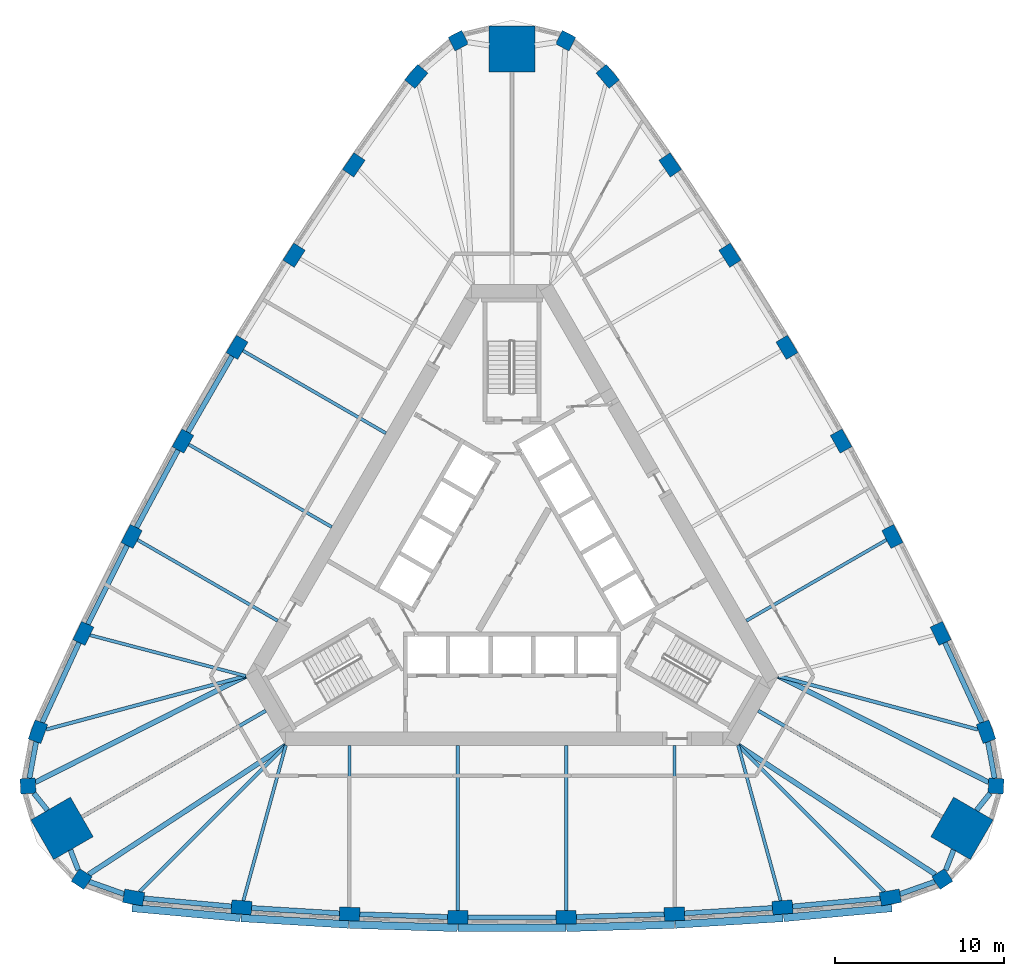
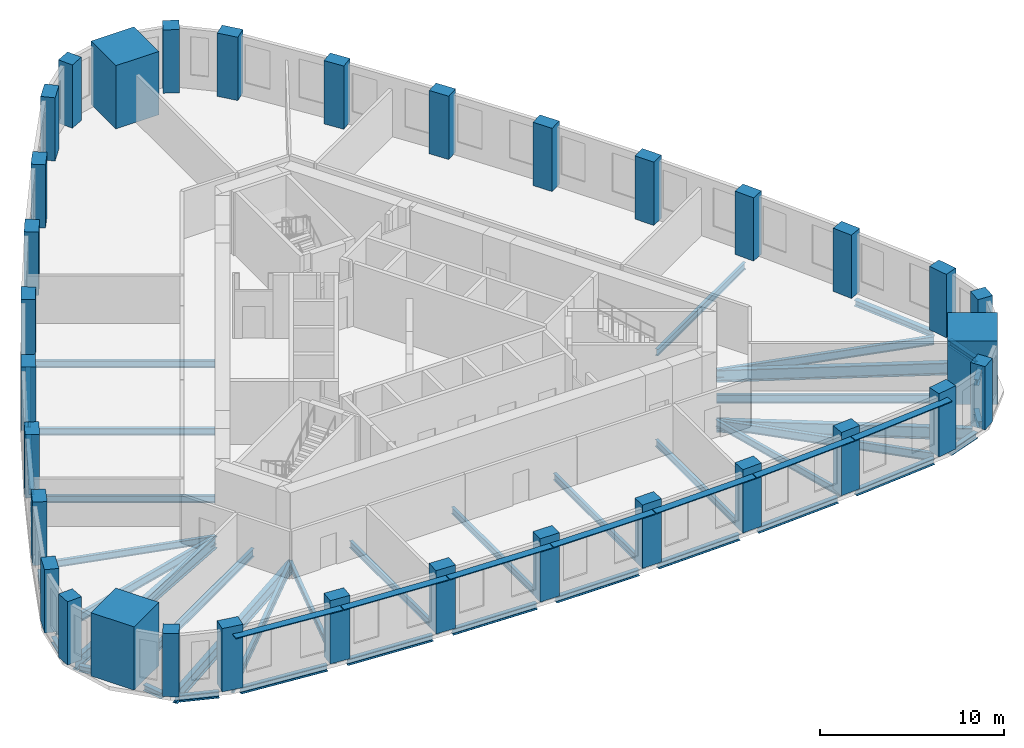
# One storey, part 1 of 9: 41 beams, 33 columns, 7 members.
"""IFC4 building model written with IfcOpenShell, lengths in metres."""

from ifc_helpers import new_model, si_unit, direction, frame, origin, origin_2d, place, context, subcontext, project, spatial, rectangle, i_section, extrude, material, material_profile, profile_set, type_object, element, save


model = new_model("IFC4")

# Units and contexts
model_context = context("Model", 3, precision=1e-05, world=origin(), true_north=direction((0.0, 1.0)))
body_context = subcontext(model_context, "Body", "Model", "MODEL_VIEW")
ifc_project = project(units=[si_unit("LENGTHUNIT", "METRE"), si_unit("AREAUNIT", "SQUARE_METRE"), si_unit("VOLUMEUNIT", "CUBIC_METRE"), si_unit("PLANEANGLEUNIT", "RADIAN"), si_unit("MASSUNIT", "GRAM", prefix="KILO")], contexts=[model_context])

# Site, building, storey
site_placement = place(None, origin())
site = spatial("IfcSite", under=ifc_project, at=site_placement, CompositionType="ELEMENT")
building_placement = place(site_placement, origin())
building = spatial("IfcBuilding", under=site, at=building_placement, Name="Mestral Congress Tower", CompositionType="ELEMENT")
storey_placement = place(building_placement, frame((0.0, 0.0, 187.800048828125)))
storey = spatial("IfcBuildingStorey", under=building, at=storey_placement, Name="L44", CompositionType="ELEMENT", Elevation=187.800048828125)

# Columns
ifc_material_1 = material(Name="Concrete C60/75", Category="concrete")
ifc_material_profile_1 = material_profile(ifc_material_1, rectangle(XDim=1.199951171875, YDim=0.800048828125, at=origin_2d()), Name="RC 1200x800")
ifc_profile_set_1 = profile_set([ifc_material_profile_1], Name="Concrete C60/75")
column_type_1 = type_object("IfcColumnType", Name="Column RC 1200x800 C60/75", PredefinedType="COLUMN", material=ifc_profile_set_1)
for number, where, z_axis, x_axis, name in (
    (1, (-22.357421875, -19.437255859375, 0.0), (0.0, 0.0, 1.0), (0.984571054206, -0.17498525429, 0.0), "COL-L44-C3-S00"),
    (2, (-15.984619140625, -20.0224609375, 0.0), (0.0, 0.0, 1.0), (0.997089725995, -0.076236987842, 0.0), "COL-L44-C3-S01"),
    (3, (-9.5966796875, -20.412841796875, 0.0), (0.0, 0.0, 1.0), (0.998951959915, -0.045770970953, 0.0), "COL-L44-C3-S02"),
    (4, (-3.199951171875, -20.608154296875, 0.0), (0.0, 0.0, 1.0), (0.999883524137, -0.015262311717, 0.0), "COL-L44-C3-S03"),
    (5, (3.199951171875, -20.608154296875, 0.0), (0.0, 0.0, 1.0), (0.999883524137, 0.015262311717, 0.0), "COL-L44-C3-S04"),
    (6, (9.5966796875, -20.412841796875, 0.0), (0.0, 0.0, 1.0), (0.998951959915, 0.045770970953, 0.0), "COL-L44-C3-S05"),
    (7, (15.984619140625, -20.0224609375, 0.0), (0.0, 0.0, 1.0), (0.997089725995, 0.076236987842, 0.0), "COL-L44-C3-S06"),
    (8, (22.357421875, -19.437255859375, 0.0), (0.0, 0.0, 1.0), (0.984571054206, 0.17498525429, 0.0), "COL-L44-C3-S07"),
    (9, (28.01171875, -9.6435546875, 0.0), (0.0, 0.0, 1.0), (-0.340743851601, 0.940156171918, 0.0), "COL-L44-C3-E00"),
    (10, (25.332275390625, -3.831787109375, 0.0), (0.0, 0.0, 1.0), (-0.432521694818, 0.901623526485, 0.0), "COL-L44-C3-E01"),
    (11, (22.476318359375, 1.8955078125, 0.0), (0.0, 0.0, 1.0), (-0.459837156356, 0.888003259923, 0.0), "COL-L44-C3-E02"),
    (12, (19.447265625, 7.532958984375, 0.0), (0.0, 0.0, 1.0), (-0.486724212401, 0.873555688587, 0.0), "COL-L44-C3-E03"),
    (13, (16.247314453125, 13.0751953125, 0.0), (0.0, 0.0, 1.0), (-0.513159311736, 0.85829337687, 0.0), "COL-L44-C3-E04"),
    (14, (12.8798828125, 18.517333984375, 0.0), (0.0, 0.0, 1.0), (-0.539114803559, 0.84223228897, 0.0), "COL-L44-C3-E05"),
    (15, (9.34765625, 23.854248046875, 0.0), (0.0, 0.0, 1.0), (-0.564568031177, 0.825386538643, 0.0), "COL-L44-C3-E06"),
    (16, (5.654296875, 29.080810546875, 0.0), (0.0, 0.0, 1.0), (-0.643827202606, 0.765170917629, 0.0), "COL-L44-C3-E07"),
    (17, (-5.654296875, 29.080810546875, 0.0), (0.0, 0.0, 1.0), (-0.643827202606, -0.765170917629, 0.0), "COL-L44-C3-W00"),
    (18, (-9.34765625, 23.854248046875, 0.0), (0.0, 0.0, 1.0), (-0.564568031177, -0.825386538643, 0.0), "COL-L44-C3-W01"),
    (19, (-12.8798828125, 18.517333984375, 0.0), (0.0, 0.0, 1.0), (-0.539114803559, -0.84223228897, 0.0), "COL-L44-C3-W02"),
    (20, (-16.247314453125, 13.0751953125, 0.0), (0.0, 0.0, 1.0), (-0.513159311736, -0.85829337687, 0.0), "COL-L44-C3-W03"),
    (21, (-19.447265625, 7.532958984375, 0.0), (0.0, 0.0, 1.0), (-0.486724212401, -0.873555688587, 0.0), "COL-L44-C3-W04"),
    (22, (-22.476318359375, 1.8955078125, 0.0), (0.0, 0.0, 1.0), (-0.459837156356, -0.888003259923, 0.0), "COL-L44-C3-W05"),
    (23, (-25.332275390625, -3.831787109375, 0.0), (0.0, 0.0, 1.0), (-0.432521694818, -0.901623526485, 0.0), "COL-L44-C3-W06"),
    (24, (-28.01171875, -9.6435546875, 0.0), (0.0, 0.0, 1.0), (-0.340743851601, -0.940156171918, 0.0), "COL-L44-C3-W07"),
):
    element("IfcColumn", number, at=place(storey_placement, frame(where, z_axis=z_axis, x_axis=x_axis)), inside=storey, type_object=column_type_1, Name=name, PredefinedType="COLUMN", context=body_context, shape_type="SweptSolid", body=[
        extrude(rectangle(XDim=1.199951171875, YDim=0.800048828125, at=origin_2d()), origin(), (0.0, 0.0, 1.0), 4.199951171875),
    ])
ifc_material_profile_2 = material_profile(ifc_material_1, rectangle(XDim=0.89990234375, YDim=0.89990234375, at=origin_2d()), Name="RC 900x900")
ifc_profile_set_2 = profile_set([ifc_material_profile_2], Name="Concrete C60/75")
column_type_2 = type_object("IfcColumnType", Name="Column RC 900x900 C60/75", PredefinedType="COLUMN", material=ifc_profile_set_2)
for number, where, z_axis, x_axis, name in (
    (25, (25.4296875, -18.34375, 0.0), (0.0, 0.0, 1.0), (0.838094050847, 0.545525766518, 0.0), "COL-L44-C3-SE1"),
    (26, (28.60107421875, -12.850830078125, 0.0), (0.0, 0.0, 1.0), (0.0533921468, 0.998573622053, 0.0), "COL-L44-C3-SE3"),
    (27, (3.17138671875, 31.194580078125, 0.0), (0.0, 0.0, 1.0), (-0.891486197647, 0.453047855535, 0.0), "COL-L44-C3-N1"),
    (28, (-3.17138671875, 31.194580078125, 0.0), (0.0, 0.0, 1.0), (-0.891486197647, -0.453047855535, 0.0), "COL-L44-C3-N3"),
    (29, (-28.60107421875, -12.850830078125, 0.0), (0.0, 0.0, 1.0), (0.0533921468, -0.998573622053, 0.0), "COL-L44-C3-SW1"),
    (30, (-25.4296875, -18.34375, 0.0), (0.0, 0.0, 1.0), (0.838094050847, -0.545525766518, 0.0), "COL-L44-C3-SW3"),
):
    element("IfcColumn", number, at=place(storey_placement, frame(where, z_axis=z_axis, x_axis=x_axis)), inside=storey, type_object=column_type_2, Name=name, PredefinedType="COLUMN", context=body_context, shape_type="SweptSolid", body=[
        extrude(rectangle(XDim=0.89990234375, YDim=0.89990234375, at=origin_2d()), origin(), (0.0, 0.0, 1.0), 4.199951171875),
    ])
ifc_material_2 = material(Name="Concrete C70/85", Category="concrete")
ifc_material_profile_3 = material_profile(ifc_material_2, rectangle(XDim=2.699951171875, YDim=2.699951171875, at=origin_2d()), Name="RC 2700x2700")
ifc_profile_set_3 = profile_set([ifc_material_profile_3], Name="Concrete C70/85")
column_type_3 = type_object("IfcColumnType", Name="Mega column RC 2700x2700 C70/85", PredefinedType="COLUMN", material=ifc_profile_set_3)
for number, where, z_axis, x_axis, name in (
    (31, (26.590576171875, -15.35205078125, 0.0), (0.0, 0.0, 1.0), (0.866025403784, -0.5, 0.0), "COL-L44-PY3-SE"),
    (32, (0.0, 30.7041015625, 0.0), (0.0, 0.0, 1.0), (0.0, 1.0, 0.0), "COL-L44-PY3-N"),
    (33, (-26.590576171875, -15.35205078125, 0.0), (0.0, 0.0, 1.0), (-0.866025403784, -0.5, 0.0), "COL-L44-PY3-SW"),
):
    element("IfcColumn", number, at=place(storey_placement, frame(where, z_axis=z_axis, x_axis=x_axis)), inside=storey, type_object=column_type_3, Name=name, PredefinedType="COLUMN", context=body_context, shape_type="SweptSolid", body=[
        extrude(rectangle(XDim=2.699951171875, YDim=2.699951171875, at=origin_2d()), origin(), (0.0, 0.0, 1.0), 4.199951171875),
    ])

# Members
ifc_material_3 = material(Name="Glazed ceramic", Category="masonry")
ifc_material_profile_4 = material_profile(ifc_material_3, rectangle(XDim=0.449951171875, YDim=0.06005859375, at=origin_2d()), Name="Ceramic blade 450 x 60")
ifc_profile_set_4 = profile_set([ifc_material_profile_4], Name="Glazed ceramic")
member_type = type_object("IfcMemberType", Name="Facade sunshade blade 450 x 60", PredefinedType="USERDEFINED", material=ifc_profile_set_4)
member_1_placement = place(storey_placement, frame((-22.451171875, -20.05615234375, 3.679931640625), z_axis=(0.995809919347, -0.091447277326, 0.0), x_axis=(0.091447277326, 0.995809919347, 0.0)))
element("IfcMember", 34, at=member_1_placement, inside=storey, type_object=member_type, Name="Sunshade F0-00", ObjectType="SUNSHADE", PredefinedType="USERDEFINED", context=body_context, shape_type="SweptSolid", body=[
    extrude(rectangle(XDim=0.449951171875, YDim=0.06005859375, at=origin_2d()), origin(), (0.0, 0.0, 1.0), 6.42333984375),
])
member_2_placement = place(storey_placement, frame((-16.009521484375, -20.647216796875, 3.679931640625), z_axis=(0.998138940399, -0.06098078107, 0.0), x_axis=(0.06098078107, 0.998138940399, 0.0)))
element("IfcMember", 35, at=member_2_placement, inside=storey, type_object=member_type, Name="Sunshade F0-01", ObjectType="SUNSHADE", PredefinedType="USERDEFINED", context=body_context, shape_type="SweptSolid", body=[
    extrude(rectangle(XDim=0.449951171875, YDim=0.06005859375, at=origin_2d()), origin(), (0.0, 0.0, 1.0), 6.373779296875),
])
for number, where, z_axis, x_axis, name in (
    (36, (-9.6025390625, -21.0380859375, 3.679931640625), (0.999535044007, -0.03049091343, 0.0), (0.03049091343, 0.999535044007, 0.0), "Sunshade F0-02"),
    (37, (-3.186767578125, -21.233154296875, 3.679931640625), (1.0, 0.0, 0.0), (0.0, 1.0, 0.0), "Sunshade F0-03"),
    (38, (3.23193359375, -21.232421875, 3.679931640625), (0.999535044007, 0.03049091343, 0.0), (-0.03049091343, 0.999535044007, 0.0), "Sunshade F0-04"),
):
    element("IfcMember", number, at=place(storey_placement, frame(where, z_axis=z_axis, x_axis=x_axis)), inside=storey, type_object=member_type, Name=name, ObjectType="SUNSHADE", PredefinedType="USERDEFINED", context=body_context, shape_type="SweptSolid", body=[
        extrude(rectangle(XDim=0.449951171875, YDim=0.06005859375, at=origin_2d()), origin(), (0.0, 0.0, 1.0), 6.37353515625),
    ])
member_3_placement = place(storey_placement, frame((9.647705078125, -21.035888671875, 3.679931640625), z_axis=(0.998138940399, 0.06098078107, 0.0), x_axis=(-0.06098078107, 0.998138940399, 0.0)))
element("IfcMember", 39, at=member_3_placement, inside=storey, type_object=member_type, Name="Sunshade F0-05", ObjectType="SUNSHADE", PredefinedType="USERDEFINED", context=body_context, shape_type="SweptSolid", body=[
    extrude(rectangle(XDim=0.449951171875, YDim=0.06005859375, at=origin_2d()), origin(), (0.0, 0.0, 1.0), 6.373779296875),
])
member_4_placement = place(storey_placement, frame((16.0546875, -20.6435546875, 3.679931640625), z_axis=(0.995809919347, 0.091447277326, 0.0), x_axis=(-0.091447277326, 0.995809919347, 0.0)))
element("IfcMember", 40, at=member_4_placement, inside=storey, type_object=member_type, Name="Sunshade F0-06", ObjectType="SUNSHADE", PredefinedType="USERDEFINED", context=body_context, shape_type="SweptSolid", body=[
    extrude(rectangle(XDim=0.449951171875, YDim=0.06005859375, at=origin_2d()), origin(), (0.0, 0.0, 1.0), 6.42333984375),
])

# Beams
ifc_material_4 = material(Name="Steel S355", Category="steel")
ifc_material_profile_5 = material_profile(ifc_material_4, i_section(OverallWidth=0.300048828125, OverallDepth=0.800048828125, WebThickness=0.017578125, FlangeThickness=0.032958984375, FilletRadius=0.030029296875, at=origin_2d()), Name="HEB 800")
ifc_profile_set_5 = profile_set([ifc_material_profile_5], Name="Steel S355")
beam_type_1 = type_object("IfcBeamType", Name="Floor beam HEB 800 S355", PredefinedType="BEAM", material=ifc_profile_set_5)
beam_1_placement = place(storey_placement, frame((25.018310546875, -18.07470703125, -0.650146484375), z_axis=(-0.836780237492, 0.547538888247, 0.0), x_axis=(-0.547538888247, -0.836780237492, 0.0)))
element("IfcBeam", 41, at=beam_1_placement, inside=storey, type_object=beam_type_1, Name="BM-L44-RB3-SE1", PredefinedType="BEAM", context=body_context, shape_type="SweptSolid", body=[
    extrude(i_section(OverallWidth=0.300048828125, OverallDepth=0.800048828125, WebThickness=0.017578125, FlangeThickness=0.032958984375, FilletRadius=0.030029296875, at=origin_2d()), origin(), (0.0, 0.0, 1.0), 13.925537109375),
])
for number, where, z_axis, x_axis, name in (
    (42, (28.162109375, -12.629150390625, -0.650146484375), (-0.892568118133, 0.450912579656, 0.0), (-0.450912579656, -0.892568118133, 0.0), "BM-L44-RB3-SE3"),
    (43, (-28.162109375, -12.629150390625, -0.650146484375), (0.892568118133, 0.450912579656, 0.0), (-0.450912579656, 0.892568118133, 0.0), "BM-L44-RB3-SW1"),
):
    element("IfcBeam", number, at=place(storey_placement, frame(where, z_axis=z_axis, x_axis=x_axis)), inside=storey, type_object=beam_type_1, Name=name, PredefinedType="BEAM", context=body_context, shape_type="SweptSolid", body=[
        extrude(i_section(OverallWidth=0.300048828125, OverallDepth=0.800048828125, WebThickness=0.017578125, FlangeThickness=0.032958984375, FilletRadius=0.030029296875, at=origin_2d()), origin(), (0.0, 0.0, 1.0), 13.92529296875),
    ])
beam_2_placement = place(storey_placement, frame((-25.018310546875, -18.07470703125, -0.650146484375), z_axis=(0.836780237492, 0.547538888247, 0.0), x_axis=(-0.547538888247, 0.836780237492, 0.0)))
element("IfcBeam", 44, at=beam_2_placement, inside=storey, type_object=beam_type_1, Name="BM-L44-RB3-SW3", PredefinedType="BEAM", context=body_context, shape_type="SweptSolid", body=[
    extrude(i_section(OverallWidth=0.300048828125, OverallDepth=0.800048828125, WebThickness=0.017578125, FlangeThickness=0.032958984375, FilletRadius=0.030029296875, at=origin_2d()), origin(), (0.0, 0.0, 1.0), 13.925537109375),
])
ifc_material_profile_6 = material_profile(ifc_material_4, i_section(OverallWidth=0.18994140625, OverallDepth=0.449951171875, WebThickness=0.009521484375, FlangeThickness=0.0146484375, FilletRadius=0.02099609375, at=origin_2d()), Name="IPE 450")
ifc_profile_set_6 = profile_set([ifc_material_profile_6], Name="Steel S355")
beam_type_2 = type_object("IfcBeamType", Name="Floor beam IPE 450 S355", PredefinedType="BEAM", material=ifc_profile_set_6)
beam_3_placement = place(storey_placement, frame((-15.876953125, -19.62939453125, -0.47509765625), z_axis=(0.263874900873, 0.964556912105, 0.0), x_axis=(-0.964556912105, 0.263874900873, 0.0)))
element("IfcBeam", 45, at=beam_3_placement, inside=storey, type_object=beam_type_2, Name="BM-L44-RB3-S01", PredefinedType="BEAM", context=body_context, shape_type="SweptSolid", body=[
    extrude(i_section(OverallWidth=0.18994140625, OverallDepth=0.449951171875, WebThickness=0.009521484375, FlangeThickness=0.0146484375, FilletRadius=0.02099609375, at=origin_2d()), origin(), (0.0, 0.0, 1.0), 9.516845703125),
])
beam_4_placement = place(storey_placement, frame((-9.5966796875, -20.012451171875, -0.47509765625), z_axis=(0.0, 1.0, 0.0), x_axis=(-1.0, 0.0, 0.0)))
element("IfcBeam", 46, at=beam_4_placement, inside=storey, type_object=beam_type_2, Name="BM-L44-RB3-S02", PredefinedType="BEAM", context=body_context, shape_type="SweptSolid", body=[
    extrude(i_section(OverallWidth=0.18994140625, OverallDepth=0.449951171875, WebThickness=0.009521484375, FlangeThickness=0.0146484375, FilletRadius=0.02099609375, at=origin_2d()), origin(), (0.0, 0.0, 1.0), 9.5625),
])
for number, where, z_axis, x_axis, name in (
    (47, (-3.199951171875, -20.208251953125, -0.47509765625), (0.0, 1.0, 0.0), (-1.0, 0.0, 0.0), "BM-L44-RB3-S03"),
    (48, (3.199951171875, -20.208251953125, -0.47509765625), (0.0, 1.0, 0.0), (-1.0, 0.0, 0.0), "BM-L44-RB3-S04"),
):
    element("IfcBeam", number, at=place(storey_placement, frame(where, z_axis=z_axis, x_axis=x_axis)), inside=storey, type_object=beam_type_2, Name=name, PredefinedType="BEAM", context=body_context, shape_type="SweptSolid", body=[
        extrude(i_section(OverallWidth=0.18994140625, OverallDepth=0.449951171875, WebThickness=0.009521484375, FlangeThickness=0.0146484375, FilletRadius=0.02099609375, at=origin_2d()), origin(), (0.0, 0.0, 1.0), 9.75830078125),
    ])
beam_5_placement = place(storey_placement, frame((9.5966796875, -20.012451171875, -0.47509765625), z_axis=(0.0, 1.0, 0.0), x_axis=(-1.0, 0.0, 0.0)))
element("IfcBeam", 49, at=beam_5_placement, inside=storey, type_object=beam_type_2, Name="BM-L44-RB3-S05", PredefinedType="BEAM", context=body_context, shape_type="SweptSolid", body=[
    extrude(i_section(OverallWidth=0.18994140625, OverallDepth=0.449951171875, WebThickness=0.009521484375, FlangeThickness=0.0146484375, FilletRadius=0.02099609375, at=origin_2d()), origin(), (0.0, 0.0, 1.0), 9.5625),
])
beam_6_placement = place(storey_placement, frame((15.876953125, -19.62939453125, -0.47509765625), z_axis=(-0.263874900873, 0.964556912105, 0.0), x_axis=(-0.964556912105, -0.263874900873, 0.0)))
element("IfcBeam", 50, at=beam_6_placement, inside=storey, type_object=beam_type_2, Name="BM-L44-RB3-S06", PredefinedType="BEAM", context=body_context, shape_type="SweptSolid", body=[
    extrude(i_section(OverallWidth=0.18994140625, OverallDepth=0.449951171875, WebThickness=0.009521484375, FlangeThickness=0.0146484375, FilletRadius=0.02099609375, at=origin_2d()), origin(), (0.0, 0.0, 1.0), 9.516845703125),
])
beam_7_placement = place(storey_placement, frame((22.129638671875, 1.6953125, -0.47509765625), z_axis=(-0.866022320763, -0.500005339912, 0.0), x_axis=(0.500005339912, -0.866022320763, 0.0)))
element("IfcBeam", 51, at=beam_7_placement, inside=storey, type_object=beam_type_2, Name="BM-L44-RB3-E02", PredefinedType="BEAM", context=body_context, shape_type="SweptSolid", body=[
    extrude(i_section(OverallWidth=0.18994140625, OverallDepth=0.449951171875, WebThickness=0.009521484375, FlangeThickness=0.0146484375, FilletRadius=0.02099609375, at=origin_2d()), origin(), (0.0, 0.0, 1.0), 9.5625),
])
beam_8_placement = place(storey_placement, frame((-15.90087890625, 12.875244140625, -0.47509765625), z_axis=(0.866025182435, -0.500000383388, 0.0), x_axis=(0.500000383388, 0.866025182435, 0.0)))
element("IfcBeam", 52, at=beam_8_placement, inside=storey, type_object=beam_type_2, Name="BM-L44-RB3-W03", PredefinedType="BEAM", context=body_context, shape_type="SweptSolid", body=[
    extrude(i_section(OverallWidth=0.18994140625, OverallDepth=0.449951171875, WebThickness=0.009521484375, FlangeThickness=0.0146484375, FilletRadius=0.02099609375, at=origin_2d()), origin(), (0.0, 0.0, 1.0), 9.75830078125),
])
beam_9_placement = place(storey_placement, frame((-19.100830078125, 7.332763671875, -0.47509765625), z_axis=(0.866036015824, -0.499981618958, 0.0), x_axis=(0.499981618958, 0.866036015824, 0.0)))
element("IfcBeam", 53, at=beam_9_placement, inside=storey, type_object=beam_type_2, Name="BM-L44-RB3-W04", PredefinedType="BEAM", context=body_context, shape_type="SweptSolid", body=[
    extrude(i_section(OverallWidth=0.18994140625, OverallDepth=0.449951171875, WebThickness=0.009521484375, FlangeThickness=0.0146484375, FilletRadius=0.02099609375, at=origin_2d()), origin(), (0.0, 0.0, 1.0), 9.758056640625),
])
beam_10_placement = place(storey_placement, frame((-22.129638671875, 1.6953125, -0.47509765625), z_axis=(0.866022320763, -0.500005339912, 0.0), x_axis=(0.500005339912, 0.866022320763, 0.0)))
element("IfcBeam", 54, at=beam_10_placement, inside=storey, type_object=beam_type_2, Name="BM-L44-RB3-W05", PredefinedType="BEAM", context=body_context, shape_type="SweptSolid", body=[
    extrude(i_section(OverallWidth=0.18994140625, OverallDepth=0.449951171875, WebThickness=0.009521484375, FlangeThickness=0.0146484375, FilletRadius=0.02099609375, at=origin_2d()), origin(), (0.0, 0.0, 1.0), 9.5625),
])
beam_11_placement = place(storey_placement, frame((-24.938232421875, -3.93505859375, -0.47509765625), z_axis=(0.967265999603, -0.253764627187, 0.0), x_axis=(0.253764627187, 0.967265999603, 0.0)))
element("IfcBeam", 55, at=beam_11_placement, inside=storey, type_object=beam_type_2, Name="BM-L44-RB3-W06", PredefinedType="BEAM", context=body_context, shape_type="SweptSolid", body=[
    extrude(i_section(OverallWidth=0.18994140625, OverallDepth=0.449951171875, WebThickness=0.009521484375, FlangeThickness=0.0146484375, FilletRadius=0.02099609375, at=origin_2d()), origin(), (0.0, 0.0, 1.0), 9.516845703125),
])
ifc_material_profile_7 = material_profile(ifc_material_4, i_section(OverallWidth=0.2099609375, OverallDepth=0.550048828125, WebThickness=0.010986328125, FlangeThickness=0.01708984375, FilletRadius=0.02392578125, at=origin_2d()), Name="IPE 550")
ifc_profile_set_7 = profile_set([ifc_material_profile_7], Name="Steel S355")
beam_type_3 = type_object("IfcBeamType", Name="Floor beam IPE 550 S355", PredefinedType="BEAM", material=ifc_profile_set_7)
for number, where, z_axis, x_axis, name in (
    (56, (-22.01220703125, -19.09228515625, -0.525146484375), (0.707276510369, 0.706937011254, 0.0), (-0.706937011254, 0.707276510369, 0.0), "BM-L44-RB3-S00"),
    (57, (22.01220703125, -19.09228515625, -0.525146484375), (-0.707276510369, 0.706937011254, 0.0), (-0.706937011254, -0.707276510369, 0.0), "BM-L44-RB3-S07"),
):
    element("IfcBeam", number, at=place(storey_placement, frame(where, z_axis=z_axis, x_axis=x_axis)), inside=storey, type_object=beam_type_3, Name=name, PredefinedType="BEAM", context=body_context, shape_type="SweptSolid", body=[
        extrude(i_section(OverallWidth=0.2099609375, OverallDepth=0.550048828125, WebThickness=0.010986328125, FlangeThickness=0.01708984375, FilletRadius=0.02392578125, at=origin_2d()), origin(), (0.0, 0.0, 1.0), 12.22509765625),
    ])
beam_12_placement = place(storey_placement, frame((25.42138671875, -14.677001953125, -0.525146484375), z_axis=(-0.866034999462, 0.49998337943, 0.0), x_axis=(-0.49998337943, -0.866034999462, 0.0)))
element("IfcBeam", 58, at=beam_12_placement, inside=storey, type_object=beam_type_3, Name="BM-L44-RB3-SE", PredefinedType="BEAM", context=body_context, shape_type="SweptSolid", body=[
    extrude(i_section(OverallWidth=0.2099609375, OverallDepth=0.550048828125, WebThickness=0.010986328125, FlangeThickness=0.01708984375, FilletRadius=0.02392578125, at=origin_2d()), origin(), (0.0, 0.0, 1.0), 12.55419921875),
])
for number, where, z_axis, x_axis, name in (
    (59, (27.54052734375, -9.51708984375, -0.525146484375), (-0.965861364708, 0.259059499276, 0.0), (-0.259059499276, -0.965861364708, 0.0), "BM-L44-RB3-E00"),
    (60, (-27.54052734375, -9.51708984375, -0.525146484375), (0.965861364708, 0.259059499276, 0.0), (-0.259059499276, 0.965861364708, 0.0), "BM-L44-RB3-W07"),
):
    element("IfcBeam", number, at=place(storey_placement, frame(where, z_axis=z_axis, x_axis=x_axis)), inside=storey, type_object=beam_type_3, Name=name, PredefinedType="BEAM", context=body_context, shape_type="SweptSolid", body=[
        extrude(i_section(OverallWidth=0.2099609375, OverallDepth=0.550048828125, WebThickness=0.010986328125, FlangeThickness=0.01708984375, FilletRadius=0.02392578125, at=origin_2d()), origin(), (0.0, 0.0, 1.0), 12.224853515625),
    ])
beam_13_placement = place(storey_placement, frame((-25.42138671875, -14.677001953125, -0.525146484375), z_axis=(0.866034999462, 0.49998337943, 0.0), x_axis=(-0.49998337943, 0.866034999462, 0.0)))
element("IfcBeam", 61, at=beam_13_placement, inside=storey, type_object=beam_type_3, Name="BM-L44-RB3-SW", PredefinedType="BEAM", context=body_context, shape_type="SweptSolid", body=[
    extrude(i_section(OverallWidth=0.2099609375, OverallDepth=0.550048828125, WebThickness=0.010986328125, FlangeThickness=0.01708984375, FilletRadius=0.02392578125, at=origin_2d()), origin(), (0.0, 0.0, 1.0), 12.55419921875),
])
ifc_material_profile_8 = material_profile(ifc_material_4, i_section(OverallWidth=0.300048828125, OverallDepth=0.389892578125, WebThickness=0.010986328125, FlangeThickness=0.01904296875, FilletRadius=0.027099609375, at=origin_2d()), Name="HEA 400")
ifc_profile_set_8 = profile_set([ifc_material_profile_8], Name="Steel S355")
beam_type_4 = type_object("IfcBeamType", Name="Spandrel beam HEA 400 S355", PredefinedType="BEAM", material=ifc_profile_set_8)
beam_14_placement = place(storey_placement, frame((-21.7578125, -19.4921875, -0.445068359375), z_axis=(0.995809233617, -0.091454744238, 0.0), x_axis=(0.091454744238, 0.995809233617, 0.0)))
element("IfcBeam", 62, at=beam_14_placement, inside=storey, type_object=beam_type_4, Name="SP-L44-SB3-S00", PredefinedType="BEAM", context=body_context, shape_type="SweptSolid", body=[
    extrude(i_section(OverallWidth=0.300048828125, OverallDepth=0.389892578125, WebThickness=0.010986328125, FlangeThickness=0.01904296875, FilletRadius=0.027099609375, at=origin_2d()), origin(), (0.0, 0.0, 1.0), 5.197509765625),
])
beam_15_placement = place(storey_placement, frame((-15.385498046875, -20.05908203125, -0.445068359375), z_axis=(0.998138215809, -0.060992640057, 0.0), x_axis=(0.060992640057, 0.998138215809, 0.0)))
element("IfcBeam", 63, at=beam_15_placement, inside=storey, type_object=beam_type_4, Name="SP-L44-SB3-S01", PredefinedType="BEAM", context=body_context, shape_type="SweptSolid", body=[
    extrude(i_section(OverallWidth=0.300048828125, OverallDepth=0.389892578125, WebThickness=0.010986328125, FlangeThickness=0.01904296875, FilletRadius=0.027099609375, at=origin_2d()), origin(), (0.0, 0.0, 1.0), 5.19970703125),
])
beam_16_placement = place(storey_placement, frame((-8.996826171875, -20.43115234375, -0.445068359375), z_axis=(0.999534130554, -0.030520842996, 0.0), x_axis=(0.030520842996, 0.999534130554, 0.0)))
element("IfcBeam", 64, at=beam_16_placement, inside=storey, type_object=beam_type_4, Name="SP-L44-SB3-S02", PredefinedType="BEAM", context=body_context, shape_type="SweptSolid", body=[
    extrude(i_section(OverallWidth=0.300048828125, OverallDepth=0.389892578125, WebThickness=0.010986328125, FlangeThickness=0.01904296875, FilletRadius=0.027099609375, at=origin_2d()), origin(), (0.0, 0.0, 1.0), 5.199462890625),
])
beam_17_placement = place(storey_placement, frame((-2.599853515625, -20.608154296875, -0.445068359375), z_axis=(1.0, 0.0, 0.0), x_axis=(0.0, 1.0, 0.0)))
element("IfcBeam", 65, at=beam_17_placement, inside=storey, type_object=beam_type_4, Name="SP-L44-SB3-S03", PredefinedType="BEAM", context=body_context, shape_type="SweptSolid", body=[
    extrude(i_section(OverallWidth=0.300048828125, OverallDepth=0.389892578125, WebThickness=0.010986328125, FlangeThickness=0.01904296875, FilletRadius=0.027099609375, at=origin_2d()), origin(), (0.0, 0.0, 1.0), 5.19970703125),
])
beam_18_placement = place(storey_placement, frame((3.7998046875, -20.58984375, -0.445068359375), z_axis=(0.999534130554, 0.030520842996, 0.0), x_axis=(-0.030520842996, 0.999534130554, 0.0)))
element("IfcBeam", 66, at=beam_18_placement, inside=storey, type_object=beam_type_4, Name="SP-L44-SB3-S04", PredefinedType="BEAM", context=body_context, shape_type="SweptSolid", body=[
    extrude(i_section(OverallWidth=0.300048828125, OverallDepth=0.389892578125, WebThickness=0.010986328125, FlangeThickness=0.01904296875, FilletRadius=0.027099609375, at=origin_2d()), origin(), (0.0, 0.0, 1.0), 5.199462890625),
])
beam_19_placement = place(storey_placement, frame((10.195556640625, -20.376220703125, -0.445068359375), z_axis=(0.998138215809, 0.060992640057, 0.0), x_axis=(-0.060992640057, 0.998138215809, 0.0)))
element("IfcBeam", 67, at=beam_19_placement, inside=storey, type_object=beam_type_4, Name="SP-L44-SB3-S05", PredefinedType="BEAM", context=body_context, shape_type="SweptSolid", body=[
    extrude(i_section(OverallWidth=0.300048828125, OverallDepth=0.389892578125, WebThickness=0.010986328125, FlangeThickness=0.01904296875, FilletRadius=0.027099609375, at=origin_2d()), origin(), (0.0, 0.0, 1.0), 5.19970703125),
])
beam_20_placement = place(storey_placement, frame((16.58203125, -19.967529296875, -0.445068359375), z_axis=(0.995809233617, 0.091454744238, 0.0), x_axis=(-0.091454744238, 0.995809233617, 0.0)))
element("IfcBeam", 68, at=beam_20_placement, inside=storey, type_object=beam_type_4, Name="SP-L44-SB3-S06", PredefinedType="BEAM", context=body_context, shape_type="SweptSolid", body=[
    extrude(i_section(OverallWidth=0.300048828125, OverallDepth=0.389892578125, WebThickness=0.010986328125, FlangeThickness=0.01904296875, FilletRadius=0.027099609375, at=origin_2d()), origin(), (0.0, 0.0, 1.0), 5.197509765625),
])
beam_21_placement = place(storey_placement, frame((22.9306640625, -19.233154296875, -0.445068359375), z_axis=(0.942124718118, 0.33526260679, 0.0), x_axis=(-0.33526260679, 0.942124718118, 0.0)))
element("IfcBeam", 69, at=beam_21_placement, inside=storey, type_object=beam_type_4, Name="SP-L44-SB3-S07", PredefinedType="BEAM", context=body_context, shape_type="SweptSolid", body=[
    extrude(i_section(OverallWidth=0.300048828125, OverallDepth=0.389892578125, WebThickness=0.010986328125, FlangeThickness=0.01904296875, FilletRadius=0.027099609375, at=origin_2d()), origin(), (0.0, 0.0, 1.0), 2.189697265625),
])
for number, where, z_axis, x_axis, name in (
    (70, (25.630126953125, -17.826904296875, -0.445068359375), (0.361897583915, 0.932217860136, 0.0), (-0.932217860136, 0.361897583915, 0.0), "SP-L44-SB3-SE1"),
    (71, (27.446533203125, -14.287353515625, -0.445068359375), (0.626403443736, 0.779499022242, 0.0), (-0.779499022242, 0.626403443736, 0.0), "SP-L44-SB3-SE"),
):
    element("IfcBeam", number, at=place(storey_placement, frame(where, z_axis=z_axis, x_axis=x_axis)), inside=storey, type_object=beam_type_4, Name=name, PredefinedType="BEAM", context=body_context, shape_type="SweptSolid", body=[
        extrude(i_section(OverallWidth=0.300048828125, OverallDepth=0.389892578125, WebThickness=0.010986328125, FlangeThickness=0.01904296875, FilletRadius=0.027099609375, at=origin_2d()), origin(), (0.0, 0.0, 1.0), 1.28857421875),
    ])
beam_22_placement = place(storey_placement, frame((28.517333984375, -12.395751953125, -0.445068359375), z_axis=(-0.18061190167, 0.983554442304, 0.0), x_axis=(-0.983554442304, -0.18061190167, 0.0)))
element("IfcBeam", 72, at=beam_22_placement, inside=storey, type_object=beam_type_4, Name="SP-L44-SB3-SE3", PredefinedType="BEAM", context=body_context, shape_type="SweptSolid", body=[
    extrude(i_section(OverallWidth=0.300048828125, OverallDepth=0.389892578125, WebThickness=0.010986328125, FlangeThickness=0.01904296875, FilletRadius=0.027099609375, at=origin_2d()), origin(), (0.0, 0.0, 1.0), 2.18994140625),
])
beam_23_placement = place(storey_placement, frame((27.759765625, -9.0966796875, -0.445068359375), z_axis=(-0.418712613032, 0.908118796022, 0.0), x_axis=(-0.908118796022, -0.418712613032, 0.0)))
element("IfcBeam", 73, at=beam_23_placement, inside=storey, type_object=beam_type_4, Name="SP-L44-SB3-E00", PredefinedType="BEAM", context=body_context, shape_type="SweptSolid", body=[
    extrude(i_section(OverallWidth=0.300048828125, OverallDepth=0.389892578125, WebThickness=0.010986328125, FlangeThickness=0.01904296875, FilletRadius=0.027099609375, at=origin_2d()), origin(), (0.0, 0.0, 1.0), 5.197509765625),
])
for number, where, z_axis, x_axis, name in (
    (74, (-16.54736328125, 12.5556640625, -0.445068359375), (-0.499992051641, -0.866029992723, 0.0), (0.866029992723, -0.499992051641, 0.0), "SP-L44-SB3-W03"),
    (75, (-19.731201171875, 7.00439453125, -0.445068359375), (-0.473332458078, -0.880883865291, 0.0), (0.880883865291, -0.473332458078, 0.0), "SP-L44-SB3-W04"),
):
    element("IfcBeam", number, at=place(storey_placement, frame(where, z_axis=z_axis, x_axis=x_axis)), inside=storey, type_object=beam_type_4, Name=name, PredefinedType="BEAM", context=body_context, shape_type="SweptSolid", body=[
        extrude(i_section(OverallWidth=0.300048828125, OverallDepth=0.389892578125, WebThickness=0.010986328125, FlangeThickness=0.01904296875, FilletRadius=0.027099609375, at=origin_2d()), origin(), (0.0, 0.0, 1.0), 5.19970703125),
    ])
beam_24_placement = place(storey_placement, frame((-22.744140625, 1.3583984375, -0.445068359375), z_axis=(-0.446255467462, -0.894905613884, 0.0), x_axis=(0.894905613884, -0.446255467462, 0.0)))
element("IfcBeam", 76, at=beam_24_placement, inside=storey, type_object=beam_type_4, Name="SP-L44-SB3-W05", PredefinedType="BEAM", context=body_context, shape_type="SweptSolid", body=[
    extrude(i_section(OverallWidth=0.300048828125, OverallDepth=0.389892578125, WebThickness=0.010986328125, FlangeThickness=0.01904296875, FilletRadius=0.027099609375, at=origin_2d()), origin(), (0.0, 0.0, 1.0), 5.199462890625),
])
beam_25_placement = place(storey_placement, frame((-25.58349609375, -4.376708984375, -0.445068359375), z_axis=(-0.418712613032, -0.908118796022, 0.0), x_axis=(0.908118796022, -0.418712613032, 0.0)))
element("IfcBeam", 77, at=beam_25_placement, inside=storey, type_object=beam_type_4, Name="SP-L44-SB3-W06", PredefinedType="BEAM", context=body_context, shape_type="SweptSolid", body=[
    extrude(i_section(OverallWidth=0.300048828125, OverallDepth=0.389892578125, WebThickness=0.010986328125, FlangeThickness=0.01904296875, FilletRadius=0.027099609375, at=origin_2d()), origin(), (0.0, 0.0, 1.0), 5.197509765625),
])
beam_26_placement = place(storey_placement, frame((-28.121826171875, -10.241943359375, -0.445068359375), z_axis=(-0.18061190167, -0.983554442304, 0.0), x_axis=(0.983554442304, -0.18061190167, 0.0)))
element("IfcBeam", 78, at=beam_26_placement, inside=storey, type_object=beam_type_4, Name="SP-L44-SB3-W07", PredefinedType="BEAM", context=body_context, shape_type="SweptSolid", body=[
    extrude(i_section(OverallWidth=0.300048828125, OverallDepth=0.389892578125, WebThickness=0.010986328125, FlangeThickness=0.01904296875, FilletRadius=0.027099609375, at=origin_2d()), origin(), (0.0, 0.0, 1.0), 2.18994140625),
])
for number, where, z_axis, x_axis, name in (
    (79, (-28.253662109375, -13.282958984375, -0.445068359375), (0.626403443736, -0.779499022242, 0.0), (0.779499022242, 0.626403443736, 0.0), "SP-L44-SB3-SW1"),
    (80, (-26.096435546875, -16.625732421875, -0.445068359375), (0.361897583915, -0.932217860136, 0.0), (0.932217860136, 0.361897583915, 0.0), "SP-L44-SB3-SW"),
):
    element("IfcBeam", number, at=place(storey_placement, frame(where, z_axis=z_axis, x_axis=x_axis)), inside=storey, type_object=beam_type_4, Name=name, PredefinedType="BEAM", context=body_context, shape_type="SweptSolid", body=[
        extrude(i_section(OverallWidth=0.300048828125, OverallDepth=0.389892578125, WebThickness=0.010986328125, FlangeThickness=0.01904296875, FilletRadius=0.027099609375, at=origin_2d()), origin(), (0.0, 0.0, 1.0), 1.28857421875),
    ])
beam_27_placement = place(storey_placement, frame((-24.99365234375, -18.4990234375, -0.445068359375), z_axis=(0.942124718118, -0.33526260679, 0.0), x_axis=(0.33526260679, 0.942124718118, 0.0)))
element("IfcBeam", 81, at=beam_27_placement, inside=storey, type_object=beam_type_4, Name="SP-L44-SB3-SW3", PredefinedType="BEAM", context=body_context, shape_type="SweptSolid", body=[
    extrude(i_section(OverallWidth=0.300048828125, OverallDepth=0.389892578125, WebThickness=0.010986328125, FlangeThickness=0.01904296875, FilletRadius=0.027099609375, at=origin_2d()), origin(), (0.0, 0.0, 1.0), 2.189697265625),
])

save(model, "model.ifc")
